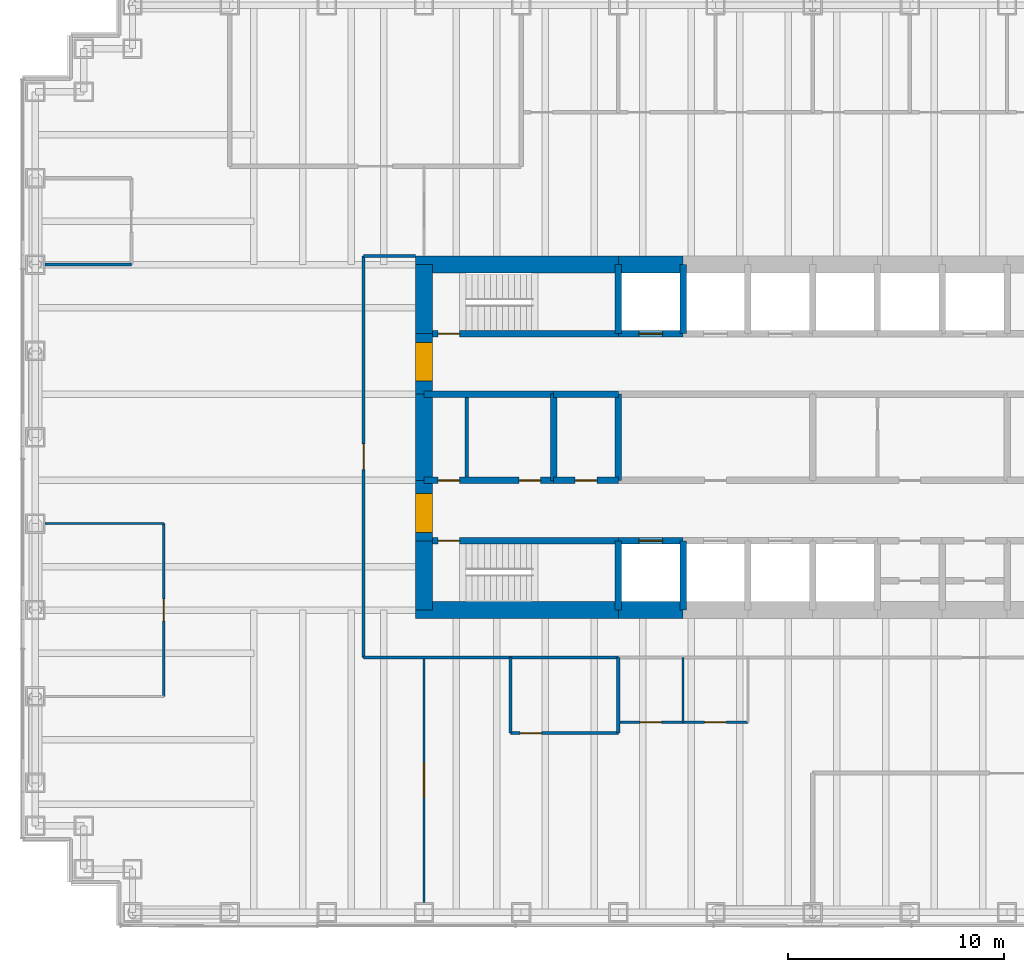
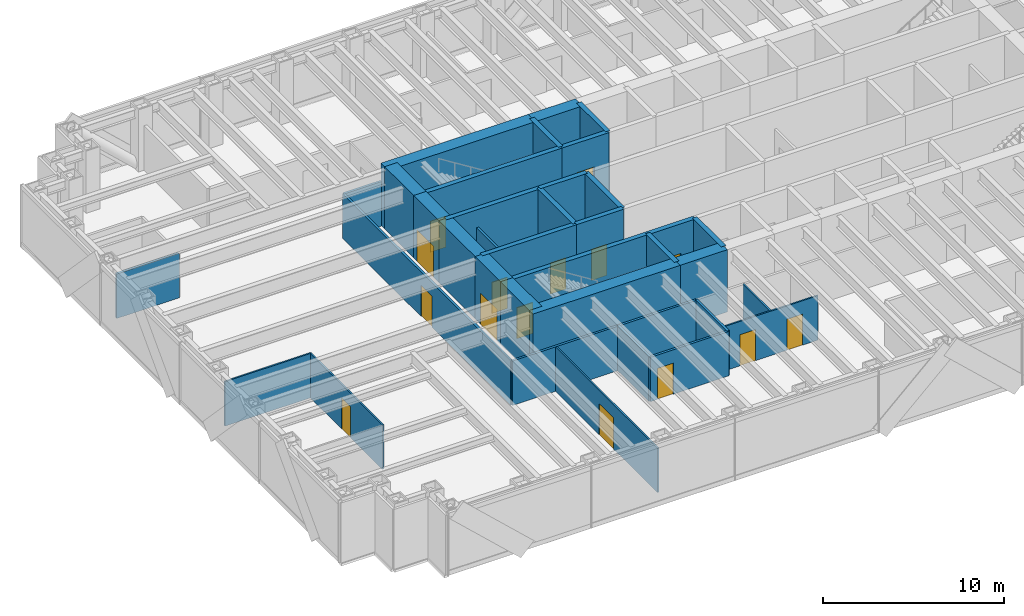
# One storey, part 10 of 14: 37 walls, 15 doors, 15 openings.
"""IFC4 building model written with IfcOpenShell, lengths in metres."""

from ifc_helpers import new_model, si_unit, direction, frame, frame_2d, origin, place, context, subcontext, project, spatial, rectangle, extrude, material, layer, layer_set, type_object, element, fill, save


model = new_model("IFC4")

# Units and contexts
model_context = context("Model", 3, precision=1e-05, world=origin(), true_north=direction((0.0, 1.0)))
body_context = subcontext(model_context, "Body", "Model", "MODEL_VIEW")
ifc_project = project(units=[si_unit("LENGTHUNIT", "METRE"), si_unit("AREAUNIT", "SQUARE_METRE"), si_unit("VOLUMEUNIT", "CUBIC_METRE"), si_unit("PLANEANGLEUNIT", "RADIAN"), si_unit("MASSUNIT", "GRAM", prefix="KILO")], contexts=[model_context])

# Site, building, storey
site_placement = place(None, origin())
site = spatial("IfcSite", under=ifc_project, at=site_placement, CompositionType="ELEMENT")
building_placement = place(site_placement, origin())
building = spatial("IfcBuilding", under=site, at=building_placement, Name="Rheinbord Bourse Tower", CompositionType="ELEMENT")
storey_placement = place(building_placement, frame((0.0, 0.0, 240.39990234375)))
storey = spatial("IfcBuildingStorey", under=building, at=storey_placement, Name="L54", CompositionType="ELEMENT", Elevation=240.39990234375)

# Wall, opening, door
ifc_material_1 = material(Name="Concrete C50/60", Category="concrete")
ifc_layer_1 = layer(ifc_material_1, 0.300048828125)
ifc_layer_set_1 = layer_set([ifc_layer_1], Name="CORE INNER WALL 300")
wall_type_1 = type_object("IfcWallType", Name="CORE INNER WALL 300", PredefinedType="SOLIDWALL", material=ifc_layer_set_1)
wall_1_placement = place(storey_placement, frame((18.0, 19.199951171875, 0.0), z_axis=(0.0, 0.0, 1.0), x_axis=(1.0, 0.0, 0.0)))
wall_1 = element("IfcWall", 1, at=wall_1_placement, inside=storey, type_object=wall_type_1, Name="Core wall A1 L54", PredefinedType="SOLIDWALL", context=body_context, shape_type="SweptSolid", body=[
    extrude(rectangle(XDim=9.0, YDim=0.300048828125, at=frame_2d((4.5, 0.0))), origin(), (0.0, 0.0, 1.0), 4.2001953125),
])
opening_1_placement = place(wall_1_placement, frame((0.64990234375, 0.0, 0.0)))
opening_1 = element("IfcOpeningElement", 2, at=opening_1_placement, cuts=wall_1, Name="Opening 5410", PredefinedType="OPENING", context=body_context, shape_type="SweptSolid", body=[
    extrude(rectangle(XDim=1.0, YDim=2.10009765625, at=frame_2d((0.5, 1.050048828125))), frame((0.0, 0.159912109375, 0.0), z_axis=(0.0, -1.0, 0.0), x_axis=(1.0, 0.0, 0.0)), (0.0, 0.0, 1.0), 0.320068359375),
])
ifc_material_2 = material(Name="Steel door", Category="steel")
door_type_1 = type_object("IfcDoorType", Name="DOOR 1000 EI30", OperationType="SINGLE_SWING_LEFT", PredefinedType="DOOR", material=ifc_material_2)
door_1_placement = place(opening_1_placement, origin())
door_1 = element("IfcDoor", 3, at=door_1_placement, inside=storey, type_object=door_type_1, Name="Stair door ST1 L54", OperationType="SINGLE_SWING_LEFT", OverallHeight=2.10009765625, OverallWidth=1.0, PredefinedType="DOOR", context=body_context, shape_type="SweptSolid", body=[
    extrude(rectangle(XDim=1.0, YDim=2.10009765625, at=frame_2d((0.5, 1.050048828125))), frame((0.0, 0.02490234375, 0.0), z_axis=(0.0, -1.0, 0.0), x_axis=(1.0, 0.0, 0.0)), (0.0, 0.0, 1.0), 0.050048828125),
])
fill(opening_1, door_1)

wall_2_placement = place(storey_placement, frame((27.0, 19.199951171875, 0.0), z_axis=(0.0, 0.0, 1.0), x_axis=(1.0, 0.0, 0.0)))
wall_2 = element("IfcWall", 4, at=wall_2_placement, inside=storey, type_object=wall_type_1, Name="Core wall A2 L54", PredefinedType="SOLIDWALL", context=body_context, shape_type="SweptSolid", body=[
    extrude(rectangle(XDim=3.0, YDim=0.300048828125, at=frame_2d((1.5, 0.0))), origin(), (0.0, 0.0, 1.0), 4.2001953125),
])
opening_2_placement = place(wall_2_placement, frame((0.949951171875, 0.0, 0.0)))
opening_2 = element("IfcOpeningElement", 5, at=opening_2_placement, cuts=wall_2, Name="Opening FL1", PredefinedType="OPENING", context=body_context, shape_type="SweptSolid", body=[
    extrude(rectangle(XDim=1.10009765625, YDim=2.199951171875, at=frame_2d((0.550048828125, 1.10009765625))), frame((0.0, 0.159912109375, 0.0), z_axis=(0.0, -1.0, 0.0), x_axis=(1.0, 0.0, 0.0)), (0.0, 0.0, 1.0), 0.320068359375),
])
ifc_material_3 = material(Name="Steel landing door", Category="steel")
door_type_2 = type_object("IfcDoorType", Name="LIFT LANDING DOOR 1100", OperationType="DOUBLE_DOOR_SLIDING", PredefinedType="USERDEFINED", material=ifc_material_3)
door_2_placement = place(opening_2_placement, origin())
door_2 = element("IfcDoor", 6, at=door_2_placement, inside=storey, type_object=door_type_2, Name="Lift landing door FL1 L54", ObjectType="LIFT LANDING DOOR", OperationType="DOUBLE_DOOR_SLIDING", OverallHeight=2.199951171875, OverallWidth=1.10009765625, PredefinedType="USERDEFINED", context=body_context, shape_type="SweptSolid", body=[
    extrude(rectangle(XDim=1.10009765625, YDim=2.199951171875, at=frame_2d((0.550048828125, 1.10009765625))), frame((0.0, 0.02490234375, 0.0), z_axis=(0.0, -1.0, 0.0), x_axis=(1.0, 0.0, 0.0)), (0.0, 0.0, 1.0), 0.050048828125),
])
fill(opening_2, door_2)

wall_3_placement = place(storey_placement, frame((18.0, 28.800048828125, 0.0), z_axis=(0.0, 0.0, 1.0), x_axis=(1.0, 0.0, 0.0)))
wall_3 = element("IfcWall", 7, at=wall_3_placement, inside=storey, type_object=wall_type_1, Name="Core wall B1 L54", PredefinedType="SOLIDWALL", context=body_context, shape_type="SweptSolid", body=[
    extrude(rectangle(XDim=9.0, YDim=0.300048828125, at=frame_2d((4.5, 0.0))), origin(), (0.0, 0.0, 1.0), 4.2001953125),
])
opening_3_placement = place(wall_3_placement, frame((0.64990234375, 0.0, 0.0)))
opening_3 = element("IfcOpeningElement", 8, at=opening_3_placement, cuts=wall_3, Name="Opening 5420", PredefinedType="OPENING", context=body_context, shape_type="SweptSolid", body=[
    extrude(rectangle(XDim=1.0, YDim=2.10009765625, at=frame_2d((0.5, 1.050048828125))), frame((0.0, 0.159912109375, 0.0), z_axis=(0.0, -1.0, 0.0), x_axis=(1.0, 0.0, 0.0)), (0.0, 0.0, 1.0), 0.320068359375),
])
door_3_placement = place(opening_3_placement, origin())
door_3 = element("IfcDoor", 9, at=door_3_placement, inside=storey, type_object=door_type_1, Name="Stair door ST2 L54", OperationType="SINGLE_SWING_LEFT", OverallHeight=2.10009765625, OverallWidth=1.0, PredefinedType="DOOR", context=body_context, shape_type="SweptSolid", body=[
    extrude(rectangle(XDim=1.0, YDim=2.10009765625, at=frame_2d((0.5, 1.050048828125))), frame((0.0, 0.02490234375, 0.0), z_axis=(0.0, -1.0, 0.0), x_axis=(1.0, 0.0, 0.0)), (0.0, 0.0, 1.0), 0.050048828125),
])
fill(opening_3, door_3)

wall_4_placement = place(storey_placement, frame((27.0, 28.800048828125, 0.0), z_axis=(0.0, 0.0, 1.0), x_axis=(1.0, 0.0, 0.0)))
wall_4 = element("IfcWall", 10, at=wall_4_placement, inside=storey, type_object=wall_type_1, Name="Core wall B2 L54", PredefinedType="SOLIDWALL", context=body_context, shape_type="SweptSolid", body=[
    extrude(rectangle(XDim=3.0, YDim=0.300048828125, at=frame_2d((1.5, 0.0))), origin(), (0.0, 0.0, 1.0), 4.2001953125),
])
opening_4_placement = place(wall_4_placement, frame((0.949951171875, 0.0, 0.0)))
opening_4 = element("IfcOpeningElement", 11, at=opening_4_placement, cuts=wall_4, Name="Opening GL1", PredefinedType="OPENING", context=body_context, shape_type="SweptSolid", body=[
    extrude(rectangle(XDim=1.10009765625, YDim=2.199951171875, at=frame_2d((0.550048828125, 1.10009765625))), frame((0.0, 0.159912109375, 0.0), z_axis=(0.0, -1.0, 0.0), x_axis=(1.0, 0.0, 0.0)), (0.0, 0.0, 1.0), 0.320068359375),
])
door_4_placement = place(opening_4_placement, origin())
door_4 = element("IfcDoor", 12, at=door_4_placement, inside=storey, type_object=door_type_2, Name="Lift landing door GL1 L54", ObjectType="LIFT LANDING DOOR", OperationType="DOUBLE_DOOR_SLIDING", OverallHeight=2.199951171875, OverallWidth=1.10009765625, PredefinedType="USERDEFINED", context=body_context, shape_type="SweptSolid", body=[
    extrude(rectangle(XDim=1.10009765625, YDim=2.199951171875, at=frame_2d((0.550048828125, 1.10009765625))), frame((0.0, 0.02490234375, 0.0), z_axis=(0.0, -1.0, 0.0), x_axis=(1.0, 0.0, 0.0)), (0.0, 0.0, 1.0), 0.050048828125),
])
fill(opening_4, door_4)

# Wall, openings, doors
wall_5_placement = place(storey_placement, frame((18.0, 22.0, 0.0), z_axis=(0.0, 0.0, 1.0), x_axis=(1.0, 0.0, 0.0)))
wall_5 = element("IfcWall", 13, at=wall_5_placement, inside=storey, type_object=wall_type_1, Name="Core wall C1 L54", PredefinedType="SOLIDWALL", context=body_context, shape_type="SweptSolid", body=[
    extrude(rectangle(XDim=6.0, YDim=0.300048828125, at=frame_2d((3.0, 0.0))), origin(), (0.0, 0.0, 1.0), 4.2001953125),
])
opening_5_placement = place(wall_5_placement, frame((4.39990234375, 0.0, 0.0)))
opening_5 = element("IfcOpeningElement", 14, at=opening_5_placement, cuts=wall_5, Name="Opening 54R1", PredefinedType="OPENING", context=body_context, shape_type="SweptSolid", body=[
    extrude(rectangle(XDim=1.0, YDim=2.10009765625, at=frame_2d((0.5, 1.050048828125))), frame((0.0, 0.159912109375, 0.0), z_axis=(0.0, -1.0, 0.0), x_axis=(1.0, 0.0, 0.0)), (0.0, 0.0, 1.0), 0.320068359375),
])
opening_6_placement = place(wall_5_placement, frame((0.64990234375, 0.0, 0.0)))
opening_6 = element("IfcOpeningElement", 15, at=opening_6_placement, cuts=wall_5, Name="Opening 54R9", PredefinedType="OPENING", context=body_context, shape_type="SweptSolid", body=[
    extrude(rectangle(XDim=1.0, YDim=2.10009765625, at=frame_2d((0.5, 1.050048828125))), frame((0.0, 0.159912109375, 0.0), z_axis=(0.0, -1.0, 0.0), x_axis=(1.0, 0.0, 0.0)), (0.0, 0.0, 1.0), 0.320068359375),
])
door_5_placement = place(opening_6_placement, origin())
door_5 = element("IfcDoor", 16, at=door_5_placement, inside=storey, type_object=door_type_1, Name="Staff shower door L54", OperationType="SINGLE_SWING_LEFT", OverallHeight=2.10009765625, OverallWidth=1.0, PredefinedType="DOOR", context=body_context, shape_type="SweptSolid", body=[
    extrude(rectangle(XDim=1.0, YDim=2.10009765625, at=frame_2d((0.5, 1.050048828125))), frame((0.0, 0.02490234375, 0.0), z_axis=(0.0, -1.0, 0.0), x_axis=(1.0, 0.0, 0.0)), (0.0, 0.0, 1.0), 0.050048828125),
])
fill(opening_6, door_5)
ifc_material_4 = material(Name="Timber door", Category="wood")
door_type_3 = type_object("IfcDoorType", Name="DOOR 1000 WC", OperationType="SINGLE_SWING_LEFT", PredefinedType="DOOR", material=ifc_material_4)
door_6_placement = place(opening_5_placement, origin())
door_6 = element("IfcDoor", 17, at=door_6_placement, inside=storey, type_object=door_type_3, Name="WC men door L54", OperationType="SINGLE_SWING_RIGHT", OverallHeight=2.10009765625, OverallWidth=1.0, PredefinedType="DOOR", context=body_context, shape_type="SweptSolid", body=[
    extrude(rectangle(XDim=1.0, YDim=2.10009765625, at=frame_2d((0.5, 1.050048828125))), frame((0.0, 0.02490234375, 0.0), z_axis=(0.0, -1.0, 0.0), x_axis=(1.0, 0.0, 0.0)), (0.0, 0.0, 1.0), 0.050048828125),
])
fill(opening_5, door_6)

# Wall, opening, door
wall_6_placement = place(storey_placement, frame((24.0, 22.0, 0.0), z_axis=(0.0, 0.0, 1.0), x_axis=(1.0, 0.0, 0.0)))
wall_6 = element("IfcWall", 18, at=wall_6_placement, inside=storey, type_object=wall_type_1, Name="Core wall C2 L54", PredefinedType="SOLIDWALL", context=body_context, shape_type="SweptSolid", body=[
    extrude(rectangle(XDim=3.0, YDim=0.300048828125, at=frame_2d((1.5, 0.0))), origin(), (0.0, 0.0, 1.0), 4.2001953125),
])
opening_7_placement = place(wall_6_placement, frame((1.0, 0.0, 0.0)))
opening_7 = element("IfcOpeningElement", 19, at=opening_7_placement, cuts=wall_6, Name="Opening 54R2", PredefinedType="OPENING", context=body_context, shape_type="SweptSolid", body=[
    extrude(rectangle(XDim=1.0, YDim=2.10009765625, at=frame_2d((0.5, 1.050048828125))), frame((0.0, 0.159912109375, 0.0), z_axis=(0.0, -1.0, 0.0), x_axis=(1.0, 0.0, 0.0)), (0.0, 0.0, 1.0), 0.320068359375),
])
door_7_placement = place(opening_7_placement, origin())
door_7 = element("IfcDoor", 20, at=door_7_placement, inside=storey, type_object=door_type_3, Name="Accessible WC door L54", OperationType="SINGLE_SWING_LEFT", OverallHeight=2.10009765625, OverallWidth=1.0, PredefinedType="DOOR", context=body_context, shape_type="SweptSolid", body=[
    extrude(rectangle(XDim=1.0, YDim=2.10009765625, at=frame_2d((0.5, 1.050048828125))), frame((0.0, 0.02490234375, 0.0), z_axis=(0.0, -1.0, 0.0), x_axis=(1.0, 0.0, 0.0)), (0.0, 0.0, 1.0), 0.050048828125),
])
fill(opening_7, door_7)

# Walls
wall_7_placement = place(storey_placement, frame((18.0, 26.0, 0.0), z_axis=(0.0, 0.0, 1.0), x_axis=(1.0, 0.0, 0.0)))
element("IfcWall", 21, at=wall_7_placement, inside=storey, type_object=wall_type_1, Name="Core wall D1 L54", PredefinedType="SOLIDWALL", context=body_context, shape_type="SweptSolid", body=[
    extrude(rectangle(XDim=6.0, YDim=0.300048828125, at=frame_2d((3.0, 0.0))), origin(), (0.0, 0.0, 1.0), 4.2001953125),
])
wall_8_placement = place(storey_placement, frame((24.0, 26.0, 0.0), z_axis=(0.0, 0.0, 1.0), x_axis=(1.0, 0.0, 0.0)))
element("IfcWall", 22, at=wall_8_placement, inside=storey, type_object=wall_type_1, Name="Core wall D2 L54", PredefinedType="SOLIDWALL", context=body_context, shape_type="SweptSolid", body=[
    extrude(rectangle(XDim=3.0, YDim=0.300048828125, at=frame_2d((1.5, 0.0))), origin(), (0.0, 0.0, 1.0), 4.2001953125),
])
for number, where, z_axis, x_axis, name in (
    (23, (27.0, 16.0, 0.0), (0.0, 0.0, 1.0), (0.0, 1.0, 0.0), "Core wall SX27 L54"),
    (24, (27.0, 28.800048828125, 0.0), (0.0, 0.0, 1.0), (0.0, 1.0, 0.0), "Core wall NX27 L54"),
    (25, (30.0, 16.0, 0.0), (0.0, 0.0, 1.0), (0.0, 1.0, 0.0), "Core wall SX30 L54"),
    (26, (30.0, 28.800048828125, 0.0), (0.0, 0.0, 1.0), (0.0, 1.0, 0.0), "Core wall NX30 L54"),
):
    element("IfcWall", number, at=place(storey_placement, frame(where, z_axis=z_axis, x_axis=x_axis)), inside=storey, type_object=wall_type_1, Name=name, PredefinedType="SOLIDWALL", context=body_context, shape_type="SweptSolid", body=[
        extrude(rectangle(XDim=3.199951171875, YDim=0.300048828125, at=frame_2d((1.60009765625, 0.0))), origin(), (0.0, 0.0, 1.0), 4.2001953125),
    ])
for number, where, z_axis, x_axis, name in (
    (27, (24.0, 22.0, 0.0), (0.0, 0.0, 1.0), (0.0, 1.0, 0.0), "Core wall MX24 L54"),
    (28, (27.0, 22.0, 0.0), (0.0, 0.0, 1.0), (0.0, 1.0, 0.0), "Core wall MX27 L54"),
):
    element("IfcWall", number, at=place(storey_placement, frame(where, z_axis=z_axis, x_axis=x_axis)), inside=storey, type_object=wall_type_1, Name=name, PredefinedType="SOLIDWALL", context=body_context, shape_type="SweptSolid", body=[
        extrude(rectangle(XDim=4.0, YDim=0.300048828125, at=frame_2d((2.0, 0.0))), origin(), (0.0, 0.0, 1.0), 4.2001953125),
    ])
ifc_material_5 = material(Name="Gypsum board fire partition", Category="gypsum board")
ifc_layer_2 = layer(ifc_material_5, 0.14990234375)
ifc_layer_set_2 = layer_set([ifc_layer_2], Name="CORE PARTITION 150 EI30")
wall_type_2 = type_object("IfcWallType", Name="CORE PARTITION 150 EI30", PredefinedType="PARTITIONING", material=ifc_layer_set_2)
wall_9_placement = place(storey_placement, frame((19.97509765625, 22.14990234375, 0.0), z_axis=(0.0, 0.0, 1.0), x_axis=(0.0, 1.0, 0.0)))
element("IfcWall", 29, at=wall_9_placement, inside=storey, type_object=wall_type_2, Name="Core partition L54-2", PredefinedType="PARTITIONING", context=body_context, shape_type="SweptSolid", body=[
    extrude(rectangle(XDim=3.7001953125, YDim=0.14990234375, at=frame_2d((1.85009765625, 0.0))), origin(), (0.0, 0.0, 1.0), 3.0),
])
ifc_material_6 = material(Name="Concrete C50/60", Category="concrete")
ifc_layer_3 = layer(ifc_material_6, 0.800048828125)
ifc_layer_set_3 = layer_set([ifc_layer_3], Name="CORE WALL 800")
wall_type_3 = type_object("IfcWallType", Name="CORE WALL 800", PredefinedType="SHEAR", material=ifc_layer_set_3)
wall_10_placement = place(storey_placement, frame((17.60009765625, 16.0, 0.0), z_axis=(0.0, 0.0, 1.0), x_axis=(1.0, 0.0, 0.0)))
element("IfcWall", 30, at=wall_10_placement, inside=storey, type_object=wall_type_3, Name="Core wall S1 L54", PredefinedType="SHEAR", context=body_context, shape_type="SweptSolid", body=[
    extrude(rectangle(XDim=9.39990234375, YDim=0.800048828125, at=frame_2d((4.699951171875, 0.0))), origin(), (0.0, 0.0, 1.0), 4.2001953125),
])
for number, where, z_axis, x_axis, name in (
    (31, (27.0, 16.0, 0.0), (0.0, 0.0, 1.0), (1.0, 0.0, 0.0), "Core wall S2 L54"),
    (32, (30.0, 32.0, 0.0), (0.0, 0.0, 1.0), (-1.0, 0.0, 0.0), "Core wall N7 L54"),
):
    element("IfcWall", number, at=place(storey_placement, frame(where, z_axis=z_axis, x_axis=x_axis)), inside=storey, type_object=wall_type_3, Name=name, PredefinedType="SHEAR", context=body_context, shape_type="SweptSolid", body=[
        extrude(rectangle(XDim=3.0, YDim=0.800048828125, at=frame_2d((1.5, 0.0))), origin(), (0.0, 0.0, 1.0), 4.2001953125),
    ])
wall_11_placement = place(storey_placement, frame((27.0, 32.0, 0.0), z_axis=(0.0, 0.0, 1.0), x_axis=(-1.0, 0.0, 0.0)))
element("IfcWall", 33, at=wall_11_placement, inside=storey, type_object=wall_type_3, Name="Core wall N8 L54", PredefinedType="SHEAR", context=body_context, shape_type="SweptSolid", body=[
    extrude(rectangle(XDim=9.39990234375, YDim=0.800048828125, at=frame_2d((4.699951171875, 0.0))), origin(), (0.0, 0.0, 1.0), 4.2001953125),
])
wall_12_placement = place(storey_placement, frame((18.0, 32.0, 0.0), z_axis=(0.0, 0.0, 1.0), x_axis=(0.0, -1.0, 0.0)))
element("IfcWall", 34, at=wall_12_placement, inside=storey, type_object=wall_type_3, Name="Core wall W1 L54", PredefinedType="SHEAR", context=body_context, shape_type="SweptSolid", body=[
    extrude(rectangle(XDim=3.199951171875, YDim=0.800048828125, at=frame_2d((1.60009765625, 0.0))), origin(), (0.0, 0.0, 1.0), 4.2001953125),
])

# Wall, opening, door
wall_13_placement = place(storey_placement, frame((18.0, 28.800048828125, 0.0), z_axis=(0.0, 0.0, 1.0), x_axis=(0.0, -1.0, 0.0)))
wall_13 = element("IfcWall", 35, at=wall_13_placement, inside=storey, type_object=wall_type_3, Name="Core wall W2 L54", PredefinedType="SHEAR", context=body_context, shape_type="SweptSolid", body=[
    extrude(rectangle(XDim=2.800048828125, YDim=0.800048828125, at=frame_2d((1.39990234375, 0.0))), origin(), (0.0, 0.0, 1.0), 4.2001953125),
])
opening_8_placement = place(wall_13_placement, frame((0.39990234375, 0.0, 0.0)))
opening_8 = element("IfcOpeningElement", 36, at=opening_8_placement, cuts=wall_13, Name="Opening 54L2", PredefinedType="OPENING", context=body_context, shape_type="SweptSolid", body=[
    extrude(rectangle(XDim=1.800048828125, YDim=2.10009765625, at=frame_2d((0.89990234375, 1.050048828125))), frame((0.0, 0.409912109375, 0.0), z_axis=(0.0, -1.0, 0.0), x_axis=(1.0, 0.0, 0.0)), (0.0, 0.0, 1.0), 0.820068359375),
])
ifc_material_7 = material(Name="Steel door", Category="steel")
door_type_4 = type_object("IfcDoorType", Name="DOOR 1800 EI30 DOUBLE", OperationType="DOUBLE_DOOR_DOUBLE_SWING", PredefinedType="DOOR", material=ifc_material_7)
door_8_placement = place(opening_8_placement, origin())
door_8 = element("IfcDoor", 37, at=door_8_placement, inside=storey, type_object=door_type_4, Name="Lobby door 2 L54", OperationType="SINGLE_SWING_LEFT", OverallHeight=2.10009765625, OverallWidth=1.800048828125, PredefinedType="DOOR", context=body_context, shape_type="SweptSolid", body=[
    extrude(rectangle(XDim=1.800048828125, YDim=2.10009765625, at=frame_2d((0.89990234375, 1.050048828125))), frame((0.0, 0.39990234375, 0.0), z_axis=(0.0, -1.0, 0.0), x_axis=(1.0, 0.0, 0.0)), (0.0, 0.0, 1.0), 0.799560546875),
])
fill(opening_8, door_8)

# Wall
wall_14_placement = place(storey_placement, frame((18.0, 26.0, 0.0), z_axis=(0.0, 0.0, 1.0), x_axis=(0.0, -1.0, 0.0)))
element("IfcWall", 38, at=wall_14_placement, inside=storey, type_object=wall_type_3, Name="Core wall W3 L54", PredefinedType="SHEAR", context=body_context, shape_type="SweptSolid", body=[
    extrude(rectangle(XDim=4.0, YDim=0.800048828125, at=frame_2d((2.0, 0.0))), origin(), (0.0, 0.0, 1.0), 4.2001953125),
])

# Wall, opening, door
wall_15_placement = place(storey_placement, frame((18.0, 22.0, 0.0), z_axis=(0.0, 0.0, 1.0), x_axis=(0.0, -1.0, 0.0)))
wall_15 = element("IfcWall", 39, at=wall_15_placement, inside=storey, type_object=wall_type_3, Name="Core wall W4 L54", PredefinedType="SHEAR", context=body_context, shape_type="SweptSolid", body=[
    extrude(rectangle(XDim=2.800048828125, YDim=0.800048828125, at=frame_2d((1.39990234375, 0.0))), origin(), (0.0, 0.0, 1.0), 4.2001953125),
])
opening_9_placement = place(wall_15_placement, frame((0.60009765625, 0.0, 0.0)))
opening_9 = element("IfcOpeningElement", 40, at=opening_9_placement, cuts=wall_15, Name="Opening 54L1", PredefinedType="OPENING", context=body_context, shape_type="SweptSolid", body=[
    extrude(rectangle(XDim=1.800048828125, YDim=2.10009765625, at=frame_2d((0.89990234375, 1.050048828125))), frame((0.0, 0.409912109375, 0.0), z_axis=(0.0, -1.0, 0.0), x_axis=(1.0, 0.0, 0.0)), (0.0, 0.0, 1.0), 0.820068359375),
])
door_9_placement = place(opening_9_placement, origin())
door_9 = element("IfcDoor", 41, at=door_9_placement, inside=storey, type_object=door_type_4, Name="Lobby door 1 L54", OperationType="SINGLE_SWING_LEFT", OverallHeight=2.10009765625, OverallWidth=1.800048828125, PredefinedType="DOOR", context=body_context, shape_type="SweptSolid", body=[
    extrude(rectangle(XDim=1.800048828125, YDim=2.10009765625, at=frame_2d((0.89990234375, 1.050048828125))), frame((0.0, 0.39990234375, 0.0), z_axis=(0.0, -1.0, 0.0), x_axis=(1.0, 0.0, 0.0)), (0.0, 0.0, 1.0), 0.799560546875),
])
fill(opening_9, door_9)

# Walls
wall_16_placement = place(storey_placement, frame((18.0, 19.199951171875, 0.0), z_axis=(0.0, 0.0, 1.0), x_axis=(0.0, -1.0, 0.0)))
element("IfcWall", 42, at=wall_16_placement, inside=storey, type_object=wall_type_3, Name="Core wall W5 L54", PredefinedType="SHEAR", context=body_context, shape_type="SweptSolid", body=[
    extrude(rectangle(XDim=3.199951171875, YDim=0.800048828125, at=frame_2d((1.60009765625, 0.0))), origin(), (0.0, 0.0, 1.0), 4.2001953125),
])
ifc_material_8 = material(Name="Gypsum board corridor partition", Category="gypsum board")
ifc_layer_4 = layer(ifc_material_8, 0.14990234375)
ifc_layer_set_4 = layer_set([ifc_layer_4], Name="CORRIDOR PARTITION 150 EI30")
wall_type_4 = type_object("IfcWallType", Name="CORRIDOR PARTITION 150 EI30", PredefinedType="PARTITIONING", material=ifc_layer_set_4)
wall_17_placement = place(storey_placement, frame((15.199951171875, 13.800048828125, 0.0), z_axis=(0.0, 0.0, 1.0), x_axis=(1.0, 0.0, 0.0)))
element("IfcWall", 43, at=wall_17_placement, inside=storey, type_object=wall_type_4, Name="Partition L54-06", PredefinedType="PARTITIONING", context=body_context, shape_type="SweptSolid", body=[
    extrude(rectangle(XDim=6.800048828125, YDim=0.14990234375, at=frame_2d((3.39990234375, 0.0))), origin(), (0.0, 0.0, 1.0), 3.0),
])
wall_18_placement = place(storey_placement, frame((15.199951171875, 32.39990234375, 0.0), z_axis=(0.0, 0.0, 1.0), x_axis=(1.0, 0.0, 0.0)))
element("IfcWall", 44, at=wall_18_placement, inside=storey, type_object=wall_type_4, Name="Partition L54-14", PredefinedType="PARTITIONING", context=body_context, shape_type="SweptSolid", body=[
    extrude(rectangle(XDim=2.400146484375, YDim=0.14990234375, at=frame_2d((1.2001953125, 0.0))), origin(), (0.0, 0.0, 1.0), 3.0),
])

# Wall, opening, door
wall_19_placement = place(storey_placement, frame((15.199951171875, 13.800048828125, 0.0), z_axis=(0.0, 0.0, 1.0), x_axis=(0.0, 1.0, 0.0)))
wall_19 = element("IfcWall", 45, at=wall_19_placement, inside=storey, type_object=wall_type_4, Name="Partition L54-22", PredefinedType="PARTITIONING", context=body_context, shape_type="SweptSolid", body=[
    extrude(rectangle(XDim=18.599853515625, YDim=0.14990234375, at=frame_2d((9.2998046875, 0.0))), origin(), (0.0, 0.0, 1.0), 3.0),
])
opening_10_placement = place(wall_19_placement, frame((8.699951171875, 0.0, 0.0)))
opening_10 = element("IfcOpeningElement", 46, at=opening_10_placement, cuts=wall_19, Name="Opening 54D20", PredefinedType="OPENING", context=body_context, shape_type="SweptSolid", body=[
    extrude(rectangle(XDim=1.199951171875, YDim=2.10009765625, at=frame_2d((0.60009765625, 1.050048828125))), frame((0.0, 0.0849609375, 0.0), z_axis=(0.0, -1.0, 0.0), x_axis=(1.0, 0.0, 0.0)), (0.0, 0.0, 1.0), 0.169921875),
])
ifc_material_9 = material(Name="Timber fire door", Category="wood")
door_type_5 = type_object("IfcDoorType", Name="SUITE ENTRANCE DOOR 1200 EI30", OperationType="SINGLE_SWING_LEFT", PredefinedType="DOOR", material=ifc_material_9)
door_10_placement = place(opening_10_placement, origin())
door_10 = element("IfcDoor", 47, at=door_10_placement, inside=storey, type_object=door_type_5, Name="Suite entrance 1 door L54", OperationType="SINGLE_SWING_LEFT", OverallHeight=2.10009765625, OverallWidth=1.199951171875, PredefinedType="DOOR", context=body_context, shape_type="SweptSolid", body=[
    extrude(rectangle(XDim=1.199951171875, YDim=2.10009765625, at=frame_2d((0.60009765625, 1.050048828125))), frame((0.0, 0.02490234375, 0.0), z_axis=(0.0, -1.0, 0.0), x_axis=(1.0, 0.0, 0.0)), (0.0, 0.0, 1.0), 0.050048828125),
])
fill(opening_10, door_10)

ifc_material_10 = material(Name="Gypsum board fire partition", Category="gypsum board")
ifc_layer_5 = layer(ifc_material_10, 0.14990234375)
ifc_layer_set_5 = layer_set([ifc_layer_5], Name="FIRE PARTITION 150 EI60")
wall_type_5 = type_object("IfcWallType", Name="FIRE PARTITION 150 EI60", PredefinedType="PARTITIONING", material=ifc_layer_set_5)
wall_20_placement = place(storey_placement, frame((22.0, 10.300048828125, 0.0), z_axis=(0.0, 0.0, 1.0), x_axis=(1.0, 0.0, 0.0)))
wall_20 = element("IfcWall", 48, at=wall_20_placement, inside=storey, type_object=wall_type_5, Name="Partition L54-02", PredefinedType="PARTITIONING", context=body_context, shape_type="SweptSolid", body=[
    extrude(rectangle(XDim=5.0, YDim=0.14990234375, at=frame_2d((2.5, 0.0))), origin(), (0.0, 0.0, 1.0), 3.0),
])
opening_11_placement = place(wall_20_placement, frame((0.449951171875, 0.0, 0.0)))
opening_11 = element("IfcOpeningElement", 49, at=opening_11_placement, cuts=wall_20, Name="Opening 54D02", PredefinedType="OPENING", context=body_context, shape_type="SweptSolid", body=[
    extrude(rectangle(XDim=1.0, YDim=2.10009765625, at=frame_2d((0.5, 1.050048828125))), frame((0.0, 0.0849609375, 0.0), z_axis=(0.0, -1.0, 0.0), x_axis=(1.0, 0.0, 0.0)), (0.0, 0.0, 1.0), 0.169921875),
])
ifc_material_11 = material(Name="Timber fire door", Category="wood")
door_type_6 = type_object("IfcDoorType", Name="FIRE DOOR 1000 EI60", OperationType="SINGLE_SWING_LEFT", PredefinedType="DOOR", material=ifc_material_11)
door_11_placement = place(opening_11_placement, origin())
door_11 = element("IfcDoor", 50, at=door_11_placement, inside=storey, type_object=door_type_6, Name="Comms room door L54", OperationType="SINGLE_SWING_LEFT", OverallHeight=2.10009765625, OverallWidth=1.0, PredefinedType="DOOR", context=body_context, shape_type="SweptSolid", body=[
    extrude(rectangle(XDim=1.0, YDim=2.10009765625, at=frame_2d((0.5, 1.050048828125))), frame((0.0, 0.02490234375, 0.0), z_axis=(0.0, -1.0, 0.0), x_axis=(1.0, 0.0, 0.0)), (0.0, 0.0, 1.0), 0.050048828125),
])
fill(opening_11, door_11)

# Walls
wall_21_placement = place(storey_placement, frame((22.0, 13.800048828125, 0.0), z_axis=(0.0, 0.0, 1.0), x_axis=(1.0, 0.0, 0.0)))
element("IfcWall", 51, at=wall_21_placement, inside=storey, type_object=wall_type_5, Name="Partition L54-07", PredefinedType="PARTITIONING", context=body_context, shape_type="SweptSolid", body=[
    extrude(rectangle(XDim=5.0, YDim=0.14990234375, at=frame_2d((2.5, 0.0))), origin(), (0.0, 0.0, 1.0), 3.0),
])
for number, where, z_axis, x_axis, name in (
    (52, (22.0, 10.300048828125, 0.0), (0.0, 0.0, 1.0), (0.0, 1.0, 0.0), "Partition L54-25"),
    (53, (27.0, 10.300048828125, 0.0), (0.0, 0.0, 1.0), (0.0, 1.0, 0.0), "Partition L54-27"),
):
    element("IfcWall", number, at=place(storey_placement, frame(where, z_axis=z_axis, x_axis=x_axis)), inside=storey, type_object=wall_type_5, Name=name, PredefinedType="PARTITIONING", context=body_context, shape_type="SweptSolid", body=[
        extrude(rectangle(XDim=3.5, YDim=0.14990234375, at=frame_2d((1.75, 0.0))), origin(), (0.0, 0.0, 1.0), 3.0),
    ])

# Wall, openings, doors
ifc_material_12 = material(Name="Toughened laminated glass partition", Category="glass")
ifc_layer_6 = layer(ifc_material_12, 0.10009765625)
ifc_layer_set_6 = layer_set([ifc_layer_6], Name="GLAZED PARTITION 100")
wall_type_6 = type_object("IfcWallType", Name="GLAZED PARTITION 100", PredefinedType="PARTITIONING", material=ifc_layer_set_6)
wall_22_placement = place(storey_placement, frame((27.0, 10.800048828125, 0.0), z_axis=(0.0, 0.0, 1.0), x_axis=(1.0, 0.0, 0.0)))
wall_22 = element("IfcWall", 54, at=wall_22_placement, inside=storey, type_object=wall_type_6, Name="Partition L54-03", PredefinedType="PARTITIONING", context=body_context, shape_type="SweptSolid", body=[
    extrude(rectangle(XDim=6.0, YDim=0.10009765625, at=frame_2d((3.0, 0.0))), origin(), (0.0, 0.0, 1.0), 3.0),
])
opening_12_placement = place(wall_22_placement, frame((1.0, 0.0, 0.0)))
opening_12 = element("IfcOpeningElement", 55, at=opening_12_placement, cuts=wall_22, Name="Opening 54D03", PredefinedType="OPENING", context=body_context, shape_type="SweptSolid", body=[
    extrude(rectangle(XDim=1.0, YDim=2.10009765625, at=frame_2d((0.5, 1.050048828125))), frame((0.0, 0.06005859375, 0.0), z_axis=(0.0, -1.0, 0.0), x_axis=(1.0, 0.0, 0.0)), (0.0, 0.0, 1.0), 0.1201171875),
])
opening_13_placement = place(wall_22_placement, frame((4.0, 0.0, 0.0)))
opening_13 = element("IfcOpeningElement", 56, at=opening_13_placement, cuts=wall_22, Name="Opening 54D04", PredefinedType="OPENING", context=body_context, shape_type="SweptSolid", body=[
    extrude(rectangle(XDim=1.0, YDim=2.10009765625, at=frame_2d((0.5, 1.050048828125))), frame((0.0, 0.06005859375, 0.0), z_axis=(0.0, -1.0, 0.0), x_axis=(1.0, 0.0, 0.0)), (0.0, 0.0, 1.0), 0.1201171875),
])
ifc_material_13 = material(Name="Timber door", Category="wood")
door_type_7 = type_object("IfcDoorType", Name="ROOM DOOR 1000", OperationType="SINGLE_SWING_LEFT", PredefinedType="DOOR", material=ifc_material_13)
door_12_placement = place(opening_12_placement, origin())
door_12 = element("IfcDoor", 57, at=door_12_placement, inside=storey, type_object=door_type_7, Name="Quiet room door L54", OperationType="SINGLE_SWING_LEFT", OverallHeight=2.10009765625, OverallWidth=1.0, PredefinedType="DOOR", context=body_context, shape_type="SweptSolid", body=[
    extrude(rectangle(XDim=1.0, YDim=2.10009765625, at=frame_2d((0.5, 1.050048828125))), frame((0.0, 0.02490234375, 0.0), z_axis=(0.0, -1.0, 0.0), x_axis=(1.0, 0.0, 0.0)), (0.0, 0.0, 1.0), 0.050048828125),
])
fill(opening_12, door_12)
door_13_placement = place(opening_13_placement, origin())
door_13 = element("IfcDoor", 58, at=door_13_placement, inside=storey, type_object=door_type_7, Name="Quiet room door L54", OperationType="SINGLE_SWING_RIGHT", OverallHeight=2.10009765625, OverallWidth=1.0, PredefinedType="DOOR", context=body_context, shape_type="SweptSolid", body=[
    extrude(rectangle(XDim=1.0, YDim=2.10009765625, at=frame_2d((0.5, 1.050048828125))), frame((0.0, 0.02490234375, 0.0), z_axis=(0.0, -1.0, 0.0), x_axis=(1.0, 0.0, 0.0)), (0.0, 0.0, 1.0), 0.050048828125),
])
fill(opening_13, door_13)

# Wall
wall_23_placement = place(storey_placement, frame((0.449951171875, 20.0, 0.0), z_axis=(0.0, 0.0, 1.0), x_axis=(1.0, 0.0, 0.0)))
element("IfcWall", 59, at=wall_23_placement, inside=storey, type_object=wall_type_6, Name="Partition L54-09", PredefinedType="PARTITIONING", context=body_context, shape_type="SweptSolid", body=[
    extrude(rectangle(XDim=5.5, YDim=0.10009765625, at=frame_2d((2.75, 0.0))), origin(), (0.0, 0.0, 1.0), 3.0),
])

# Wall, opening, door
wall_24_placement = place(storey_placement, frame((5.949951171875, 12.0, 0.0), z_axis=(0.0, 0.0, 1.0), x_axis=(0.0, 1.0, 0.0)))
wall_24 = element("IfcWall", 60, at=wall_24_placement, inside=storey, type_object=wall_type_6, Name="Partition L54-20", PredefinedType="PARTITIONING", context=body_context, shape_type="SweptSolid", body=[
    extrude(rectangle(XDim=8.0, YDim=0.10009765625, at=frame_2d((4.0, 0.0))), origin(), (0.0, 0.0, 1.0), 3.0),
])
opening_14_placement = place(wall_24_placement, frame((3.5, 0.0, 0.0)))
opening_14 = element("IfcOpeningElement", 61, at=opening_14_placement, cuts=wall_24, Name="Opening 54D06", PredefinedType="OPENING", context=body_context, shape_type="SweptSolid", body=[
    extrude(rectangle(XDim=1.0, YDim=2.10009765625, at=frame_2d((0.5, 1.050048828125))), frame((0.0, 0.06005859375, 0.0), z_axis=(0.0, -1.0, 0.0), x_axis=(1.0, 0.0, 0.0)), (0.0, 0.0, 1.0), 0.1201171875),
])
door_14_placement = place(opening_14_placement, origin())
door_14 = element("IfcDoor", 62, at=door_14_placement, inside=storey, type_object=door_type_7, Name="Meeting room door L54", OperationType="SINGLE_SWING_LEFT", OverallHeight=2.10009765625, OverallWidth=1.0, PredefinedType="DOOR", context=body_context, shape_type="SweptSolid", body=[
    extrude(rectangle(XDim=1.0, YDim=2.10009765625, at=frame_2d((0.5, 1.050048828125))), frame((0.0, 0.02490234375, 0.0), z_axis=(0.0, -1.0, 0.0), x_axis=(1.0, 0.0, 0.0)), (0.0, 0.0, 1.0), 0.050048828125),
])
fill(opening_14, door_14)

wall_25_placement = place(storey_placement, frame((18.0, 2.449951171875, 0.0), z_axis=(0.0, 0.0, 1.0), x_axis=(0.0, 1.0, 0.0)))
wall_25 = element("IfcWall", 63, at=wall_25_placement, inside=storey, type_object=wall_type_6, Name="Partition L54-23", PredefinedType="PARTITIONING", context=body_context, shape_type="SweptSolid", body=[
    extrude(rectangle(XDim=11.35009765625, YDim=0.10009765625, at=frame_2d((5.675048828125, 0.0))), origin(), (0.0, 0.0, 1.0), 3.0),
])
opening_15_placement = place(wall_25_placement, frame((4.875, 0.0, 0.0)))
opening_15 = element("IfcOpeningElement", 64, at=opening_15_placement, cuts=wall_25, Name="Opening 54D16", PredefinedType="OPENING", context=body_context, shape_type="SweptSolid", body=[
    extrude(rectangle(XDim=1.60009765625, YDim=2.10009765625, at=frame_2d((0.800048828125, 1.050048828125))), frame((0.0, 0.06005859375, 0.0), z_axis=(0.0, -1.0, 0.0), x_axis=(1.0, 0.0, 0.0)), (0.0, 0.0, 1.0), 0.1201171875),
])
ifc_material_14 = material(Name="Timber door", Category="wood")
door_type_8 = type_object("IfcDoorType", Name="DOUBLE ROOM DOOR 1600", OperationType="DOUBLE_DOOR_DOUBLE_SWING", PredefinedType="DOOR", material=ifc_material_14)
door_15_placement = place(opening_15_placement, origin())
door_15 = element("IfcDoor", 65, at=door_15_placement, inside=storey, type_object=door_type_8, Name="Open area door L54", OperationType="SINGLE_SWING_LEFT", OverallHeight=2.10009765625, OverallWidth=1.60009765625, PredefinedType="DOOR", context=body_context, shape_type="SweptSolid", body=[
    extrude(rectangle(XDim=1.60009765625, YDim=2.10009765625, at=frame_2d((0.800048828125, 1.050048828125))), frame((0.0, 0.02490234375, 0.0), z_axis=(0.0, -1.0, 0.0), x_axis=(1.0, 0.0, 0.0)), (0.0, 0.0, 1.0), 0.050048828125),
])
fill(opening_15, door_15)

# Walls
wall_26_placement = place(storey_placement, frame((30.0, 10.800048828125, 0.0), z_axis=(0.0, 0.0, 1.0), x_axis=(0.0, 1.0, 0.0)))
element("IfcWall", 66, at=wall_26_placement, inside=storey, type_object=wall_type_6, Name="Partition L54-29", PredefinedType="PARTITIONING", context=body_context, shape_type="SweptSolid", body=[
    extrude(rectangle(XDim=3.0, YDim=0.10009765625, at=frame_2d((1.5, 0.0))), origin(), (0.0, 0.0, 1.0), 3.0),
])
ifc_material_15 = material(Name="Gypsum board partition", Category="gypsum board")
ifc_layer_7 = layer(ifc_material_15, 0.14990234375)
ifc_layer_set_7 = layer_set([ifc_layer_7], Name="PARTITION 150")
wall_type_7 = type_object("IfcWallType", Name="PARTITION 150", PredefinedType="PARTITIONING", material=ifc_layer_set_7)
wall_27_placement = place(storey_placement, frame((0.449951171875, 32.0, 0.0), z_axis=(0.0, 0.0, 1.0), x_axis=(1.0, 0.0, 0.0)))
element("IfcWall", 67, at=wall_27_placement, inside=storey, type_object=wall_type_7, Name="Partition L54-12", PredefinedType="PARTITIONING", context=body_context, shape_type="SweptSolid", body=[
    extrude(rectangle(XDim=4.0, YDim=0.14990234375, at=frame_2d((2.0, 0.0))), origin(), (0.0, 0.0, 1.0), 3.0),
])

save(model, "model.ifc")
